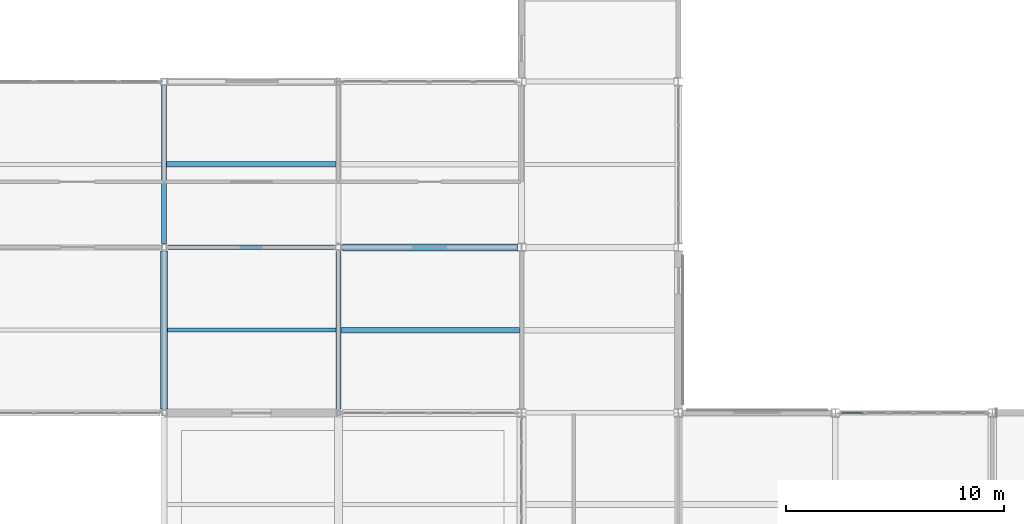
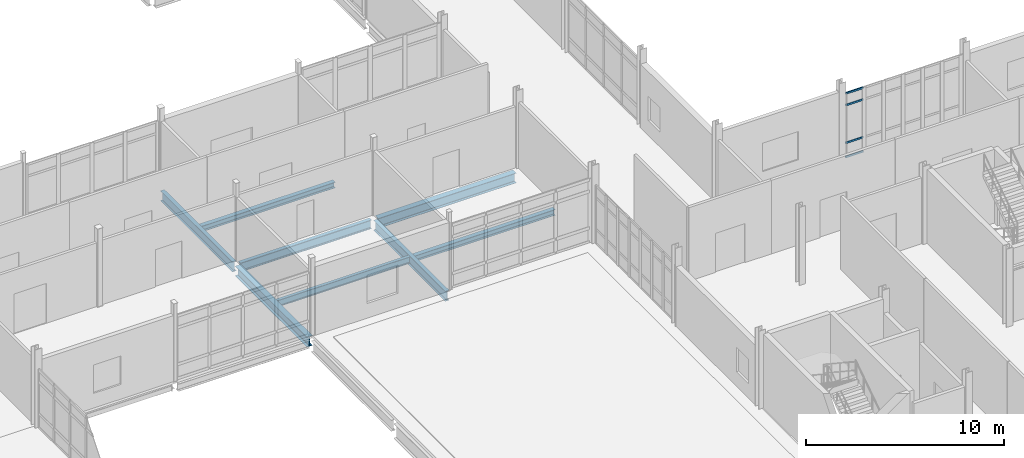
# One storey, part 71 of 186: 8 beams, 4 members, 1 element without a shape of its own.
"""IFC4 building model written with IfcOpenShell, lengths in metres."""

from ifc_helpers import new_model, si_unit, direction, frame, origin, origin_2d, place, context, subcontext, project, spatial, hollow_rectangle, i_section, extrude, material, layer, layer_set, material_profile, profile_set, type_object, element, aggregate, save


model = new_model("IFC4")

# Units and contexts
model_context = context("Model", 3, precision=1e-05, world=origin(), true_north=direction((0.0, 1.0)))
body_context = subcontext(model_context, "Body", "Model", "MODEL_VIEW")
ifc_project = project(units=[si_unit("LENGTHUNIT", "METRE"), si_unit("AREAUNIT", "SQUARE_METRE"), si_unit("VOLUMEUNIT", "CUBIC_METRE"), si_unit("PLANEANGLEUNIT", "RADIAN"), si_unit("MASSUNIT", "GRAM", prefix="KILO")], contexts=[model_context])

# Site, building, storey
site_placement = place(None, origin())
site = spatial("IfcSite", under=ifc_project, at=site_placement, CompositionType="ELEMENT")
building_placement = place(site_placement, origin())
building = spatial("IfcBuilding", under=site, at=building_placement, Name="Calvrana Isthmian Art Gallery", CompositionType="ELEMENT")
storey_placement = place(building_placement, frame((0.0, 0.0, 5.39990234375)))
storey = spatial("IfcBuildingStorey", under=building, at=storey_placement, Name="L01", CompositionType="ELEMENT", Elevation=5.39990234375)

# Beams
ifc_material_1 = material(Name="Steel ASTM A992 Gr 50", Category="steel")
ifc_material_profile_1 = material_profile(ifc_material_1, i_section(OverallWidth=0.214111328125, OverallDepth=0.549072265625, WebThickness=0.0146484375, FlangeThickness=0.023681640625, FilletRadius=0.02099609375, at=origin_2d()), Name="W21X93")
ifc_profile_set_1 = profile_set([ifc_material_profile_1], Name="Steel ASTM A992 Gr 50")
beam_type_1 = type_object("IfcBeamType", Name="BM-G-W21X93", PredefinedType="BEAM", material=ifc_profile_set_1)
beam_1_placement = place(storey_placement, frame((96.583984375, 54.39990234375, -0.519287109375), z_axis=(1.0, 0.0, 0.0), x_axis=(0.0, 1.0, 0.0)))
element("IfcBeam", 1, at=beam_1_placement, inside=storey, type_object=beam_type_1, Name="Girder X L01 13-14/H", PredefinedType="BEAM", context=body_context, shape_type="SweptSolid", body=[
    extrude(i_section(OverallWidth=0.214111328125, OverallDepth=0.549072265625, WebThickness=0.0146484375, FlangeThickness=0.023681640625, FilletRadius=0.02099609375, at=origin_2d()), origin(), (0.0, 0.0, 1.0), 7.62939453125),
])
ifc_material_profile_2 = material_profile(ifc_material_1, i_section(OverallWidth=0.324951171875, OverallDepth=0.612060546875, WebThickness=0.0126953125, FlangeThickness=0.01904296875, FilletRadius=0.02197265625, at=origin_2d()), Name="W24X104")
ifc_profile_set_2 = profile_set([ifc_material_profile_2], Name="Steel ASTM A992 Gr 50")
beam_type_2 = type_object("IfcBeamType", Name="BM-G-W24X104", PredefinedType="BEAM", material=ifc_profile_set_2)
beam_2_placement = place(storey_placement, frame((104.58642578125, 54.39990234375, -0.57080078125), z_axis=(1.0, 0.0, 0.0), x_axis=(0.0, 1.0, 0.0)))
element("IfcBeam", 2, at=beam_2_placement, inside=storey, type_object=beam_type_2, Name="Girder X L01 14-15/H", PredefinedType="BEAM", context=body_context, shape_type="SweptSolid", body=[
    extrude(i_section(OverallWidth=0.324951171875, OverallDepth=0.612060546875, WebThickness=0.0126953125, FlangeThickness=0.01904296875, FilletRadius=0.02197265625, at=origin_2d()), origin(), (0.0, 0.0, 1.0), 8.015625),
])
beam_3_placement = place(storey_placement, frame((96.39990234375, 46.986572265625, -0.55078125), z_axis=(0.0, 1.0, 0.0), x_axis=(-1.0, 0.0, 0.0)))
element("IfcBeam", 3, at=beam_3_placement, inside=storey, type_object=beam_type_2, Name="Girder Y L01 13/G-H", PredefinedType="BEAM", context=body_context, shape_type="SweptSolid", body=[
    extrude(i_section(OverallWidth=0.324951171875, OverallDepth=0.612060546875, WebThickness=0.0126953125, FlangeThickness=0.01904296875, FilletRadius=0.02197265625, at=origin_2d()), origin(), (0.0, 0.0, 1.0), 7.2353515625),
])
ifc_material_profile_3 = material_profile(ifc_material_1, i_section(OverallWidth=0.22802734375, OverallDepth=0.60693359375, WebThickness=0.01123046875, FlangeThickness=0.017333984375, FilletRadius=0.02197265625, at=origin_2d()), Name="W24X76")
ifc_profile_set_3 = profile_set([ifc_material_profile_3], Name="Steel ASTM A992 Gr 50")
beam_type_3 = type_object("IfcBeamType", Name="BM-G-W24X76", PredefinedType="BEAM", material=ifc_profile_set_3)
beam_4_placement = place(storey_placement, frame((96.39990234375, 54.577880859375, -0.54833984375), z_axis=(0.0, 1.0, 0.0), x_axis=(-1.0, 0.0, 0.0)))
element("IfcBeam", 4, at=beam_4_placement, inside=storey, type_object=beam_type_3, Name="Girder Y L01 13/H-I", PredefinedType="BEAM", context=body_context, shape_type="SweptSolid", body=[
    extrude(i_section(OverallWidth=0.22802734375, OverallDepth=0.60693359375, WebThickness=0.01123046875, FlangeThickness=0.017333984375, FilletRadius=0.02197265625, at=origin_2d()), origin(), (0.0, 0.0, 1.0), 7.24072265625),
])
beam_5_placement = place(storey_placement, frame((104.39990234375, 46.98388671875, -0.54833984375), z_axis=(0.0, 1.0, 0.0), x_axis=(-1.0, 0.0, 0.0)))
element("IfcBeam", 5, at=beam_5_placement, inside=storey, type_object=beam_type_3, Name="Girder Y L01 14/G-H", PredefinedType="BEAM", context=body_context, shape_type="SweptSolid", body=[
    extrude(i_section(OverallWidth=0.22802734375, OverallDepth=0.60693359375, WebThickness=0.01123046875, FlangeThickness=0.017333984375, FilletRadius=0.02197265625, at=origin_2d()), origin(), (0.0, 0.0, 1.0), 7.2294921875),
])
ifc_material_profile_4 = material_profile(ifc_material_1, i_section(OverallWidth=0.25390625, OverallDepth=0.35302734375, WebThickness=0.009521484375, FlangeThickness=0.016357421875, FilletRadius=0.01806640625, at=origin_2d()), Name="W14X61")
ifc_profile_set_4 = profile_set([ifc_material_profile_4], Name="Steel ASTM A992 Gr 50")
beam_type_4 = type_object("IfcBeamType", Name="BM-J-W14X61", PredefinedType="JOIST", material=ifc_profile_set_4)
beam_6_placement = place(storey_placement, frame((96.513916015625, 58.199951171875, -0.42138671875), z_axis=(1.0, 0.0, 0.0), x_axis=(0.0, 1.0, 0.0)))
element("IfcBeam", 6, at=beam_6_placement, inside=storey, type_object=beam_type_4, Name="Composite joist L01 bay 12-07", PredefinedType="JOIST", context=body_context, shape_type="SweptSolid", body=[
    extrude(i_section(OverallWidth=0.25390625, OverallDepth=0.35302734375, WebThickness=0.009521484375, FlangeThickness=0.016357421875, FilletRadius=0.01806640625, at=origin_2d()), origin(), (0.0, 0.0, 1.0), 7.781494140625),
])
beam_7_placement = place(storey_placement, frame((104.513916015625, 50.60009765625, -0.44140625), z_axis=(1.0, 0.0, 0.0), x_axis=(0.0, 1.0, 0.0)))
element("IfcBeam", 7, at=beam_7_placement, inside=storey, type_object=beam_type_4, Name="Composite joist L01 bay 13-06", PredefinedType="JOIST", context=body_context, shape_type="SweptSolid", body=[
    extrude(i_section(OverallWidth=0.25390625, OverallDepth=0.35302734375, WebThickness=0.009521484375, FlangeThickness=0.016357421875, FilletRadius=0.01806640625, at=origin_2d()), origin(), (0.0, 0.0, 1.0), 8.181640625),
])
ifc_material_profile_5 = material_profile(ifc_material_1, i_section(OverallWidth=0.177978515625, OverallDepth=0.404052734375, WebThickness=0.007568359375, FlangeThickness=0.010986328125, FilletRadius=0.01806640625, at=origin_2d()), Name="W16X36")
ifc_profile_set_5 = profile_set([ifc_material_profile_5], Name="Steel ASTM A992 Gr 50")
beam_type_5 = type_object("IfcBeamType", Name="BM-J-W16X36", PredefinedType="JOIST", material=ifc_profile_set_5)
beam_8_placement = place(storey_placement, frame((96.5625, 50.60009765625, -0.447021484375), z_axis=(1.0, 0.0, 0.0), x_axis=(0.0, 1.0, 0.0)))
element("IfcBeam", 8, at=beam_8_placement, inside=storey, type_object=beam_type_5, Name="Composite joist L01 bay 12-06", PredefinedType="JOIST", context=body_context, shape_type="SweptSolid", body=[
    extrude(i_section(OverallWidth=0.177978515625, OverallDepth=0.404052734375, WebThickness=0.007568359375, FlangeThickness=0.010986328125, FilletRadius=0.01806640625, at=origin_2d()), origin(), (0.0, 0.0, 1.0), 7.723388671875),
])

# Curtain wall, members
ifc_material_2 = material(Name="Anodized bronze aluminium 6063-T6", Category="aluminium")
ifc_layer = layer(ifc_material_2, 0.179931640625, Name="Anodized bronze aluminium 6063-T6")
ifc_layer_set = layer_set([ifc_layer], Name="Anodized bronze aluminium 6063-T6")
curtain_wall_type = type_object("IfcCurtainWallType", Name="CW-UNIT-068X40", PredefinedType="USERDEFINED", material=ifc_layer_set)
curtain_wall_placement = place(storey_placement, origin())
curtain_wall = element("IfcCurtainWall", 9, at=curtain_wall_placement, inside=storey, type_object=curtain_wall_type, Name="Curtain wall CW-100", ObjectType="UNITISED CURTAIN WALL", PredefinedType="USERDEFINED")
ifc_material_profile_6 = material_profile(ifc_material_2, hollow_rectangle(XDim=0.06005859375, YDim=0.110107421875, WallThickness=0.00341796875, at=origin_2d()), Name="CWT60X110")
ifc_profile_set_6 = profile_set([ifc_material_profile_6], Name="Anodized bronze aluminium 6063-T6")
member_type = type_object("IfcMemberType", Name="CWT-CWT60X110", PredefinedType="USERDEFINED", material=ifc_profile_set_6)
member_1_placement = place(storey_placement, frame((127.46142578125, 46.800048828125, 0.030029296875), z_axis=(1.0, 0.0, 0.0), x_axis=(0.0, 1.0, 0.0)))
member_1 = element("IfcMember", 10, at=member_1_placement, type_object=member_type, Name="CW-100 transom 1.1", ObjectType="TRANSOM", PredefinedType="USERDEFINED", context=body_context, shape_type="SweptSolid", body=[
    extrude(hollow_rectangle(XDim=0.06005859375, YDim=0.110107421875, WallThickness=0.00341796875, at=origin_2d()), origin(), (0.0, 0.0, 1.0), 1.023193359375),
])
member_2_placement = place(storey_placement, frame((127.46142578125, 46.800048828125, 0.900146484375), z_axis=(1.0, 0.0, 0.0), x_axis=(0.0, 1.0, 0.0)))
member_2 = element("IfcMember", 11, at=member_2_placement, type_object=member_type, Name="CW-100 transom 1.2", ObjectType="TRANSOM", PredefinedType="USERDEFINED", context=body_context, shape_type="SweptSolid", body=[
    extrude(hollow_rectangle(XDim=0.06005859375, YDim=0.110107421875, WallThickness=0.00341796875, at=origin_2d()), origin(), (0.0, 0.0, 1.0), 1.023193359375),
])
member_3_placement = place(storey_placement, frame((127.46142578125, 46.800048828125, 3.22119140625), z_axis=(1.0, 0.0, 0.0), x_axis=(0.0, 1.0, 0.0)))
member_3 = element("IfcMember", 12, at=member_3_placement, type_object=member_type, Name="CW-100 transom 1.3", ObjectType="TRANSOM", PredefinedType="USERDEFINED", context=body_context, shape_type="SweptSolid", body=[
    extrude(hollow_rectangle(XDim=0.06005859375, YDim=0.110107421875, WallThickness=0.00341796875, at=origin_2d()), origin(), (0.0, 0.0, 1.0), 1.023193359375),
])
member_4_placement = place(storey_placement, frame((127.46142578125, 46.800048828125, 3.941162109375), z_axis=(1.0, 0.0, 0.0), x_axis=(0.0, 1.0, 0.0)))
member_4 = element("IfcMember", 13, at=member_4_placement, type_object=member_type, Name="CW-100 transom 1.4", ObjectType="TRANSOM", PredefinedType="USERDEFINED", context=body_context, shape_type="SweptSolid", body=[
    extrude(hollow_rectangle(XDim=0.06005859375, YDim=0.110107421875, WallThickness=0.00341796875, at=origin_2d()), origin(), (0.0, 0.0, 1.0), 1.023193359375),
])
aggregate(curtain_wall, [member_1, member_2, member_3, member_4])

save(model, "model.ifc")
